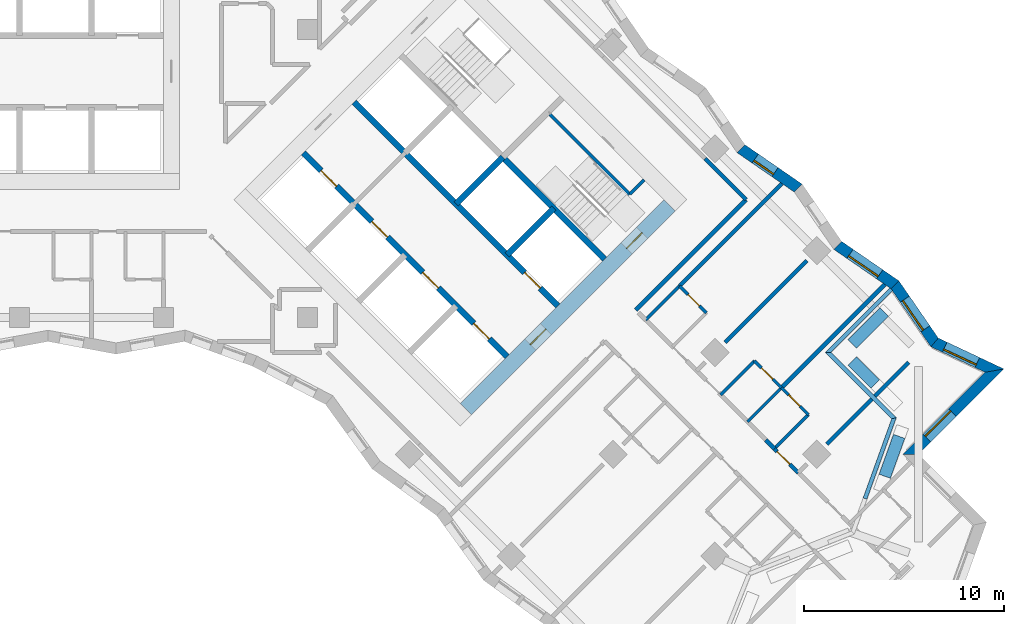
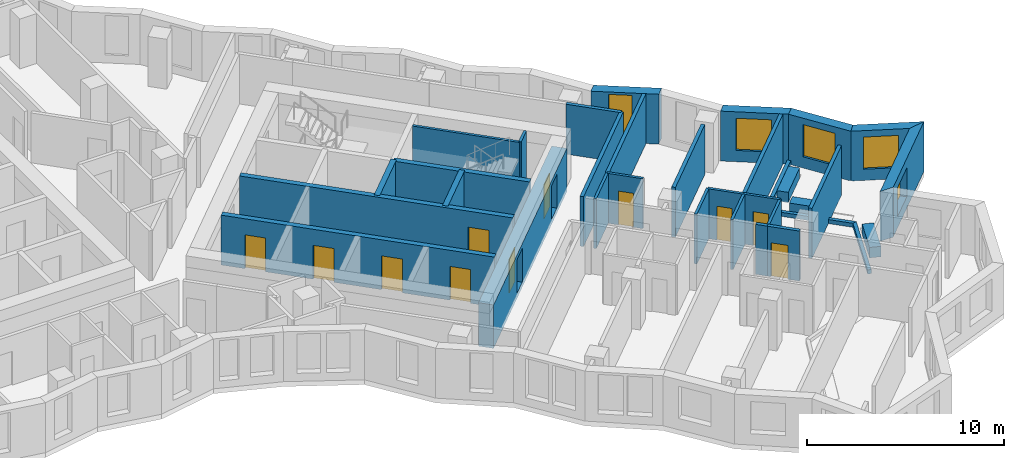
# One storey, part 10 of 14: 34 walls, 11 doors, 5 windows, 16 openings.
"""IFC4 building model written with IfcOpenShell, lengths in metres."""

from ifc_helpers import new_model, si_unit, direction, frame, frame_2d, origin, place, context, subcontext, project, spatial, polyline, rectangle, outline, extrude, material, layer, layer_set, type_object, element, fill, save


model = new_model("IFC4")

# Units and contexts
model_context = context("Model", 3, precision=1e-05, world=origin(), true_north=direction((0.0, 1.0)))
body_context = subcontext(model_context, "Body", "Model", "MODEL_VIEW")
ifc_project = project(units=[si_unit("LENGTHUNIT", "METRE"), si_unit("AREAUNIT", "SQUARE_METRE"), si_unit("VOLUMEUNIT", "CUBIC_METRE"), si_unit("PLANEANGLEUNIT", "RADIAN"), si_unit("MASSUNIT", "GRAM", prefix="KILO")], contexts=[model_context])

# Site, building, storey
site_placement = place(None, origin())
site = spatial("IfcSite", under=ifc_project, at=site_placement, CompositionType="ELEMENT")
building_placement = place(site_placement, origin())
building = spatial("IfcBuilding", under=site, at=building_placement, Name="Windrow Commons", CompositionType="ELEMENT")
storey_placement = place(building_placement, frame((0.0, 0.0, 118.6)))
storey = spatial("IfcBuildingStorey", under=building, at=storey_placement, Name="L32", CompositionType="ELEMENT", Elevation=118.6)

# Wall, opening, window
ifc_material_1 = material(Name="Brick masonry, red clay brick", Category="masonry")
ifc_layer_1 = layer(ifc_material_1, 0.55)
ifc_layer_set_1 = layer_set([ifc_layer_1], Name="Brick facade wall 550")
wall_type_1 = type_object("IfcWallType", Name="Brick facade wall 550", PredefinedType="SOLIDWALL", material=ifc_layer_set_1)
wall_1_placement = place(storey_placement, frame((109.3581, 36.3618, 0.0), z_axis=(0.0, 0.0, 1.0), x_axis=(0.7071067812, 0.7071067812, 0.0)))
wall_1 = element("IfcWall", 1, at=wall_1_placement, inside=storey, type_object=wall_type_1, Name="Brick facade wall L32 6", PredefinedType="SOLIDWALL", context=body_context, shape_type="SweptSolid", body=[
    extrude(outline(polyline([(0.275, -0.275), (6.305, -0.275), (5.5223, 0.275), (-0.275, 0.275), (0.275, -0.275)])), origin(), (0.0, 0.0, 1.0), 3.1),
])
opening_1_placement = place(wall_1_placement, frame((1.1375, 0.0, 0.7)))
opening_1 = element("IfcOpeningElement", 2, at=opening_1_placement, cuts=wall_1, Name="Opening W1M", PredefinedType="OPENING", context=body_context, shape_type="SweptSolid", body=[
    extrude(rectangle(XDim=1.8, YDim=1.8, at=frame_2d((0.9, 0.9))), frame((0.0, 0.285, 0.0), z_axis=(0.0, -1.0, 0.0), x_axis=(1.0, 0.0, 0.0)), (0.0, 0.0, 1.0), 0.57),
])
ifc_material_2 = material(Name="Clear float glass in anodised aluminium frame", Category="aluminium")
window_type_1 = type_object("IfcWindowType", Name="Window W1M bedroom 1800x1800", PartitioningType="SINGLE_PANEL", PredefinedType="WINDOW", material=ifc_material_2)
window_1_placement = place(opening_1_placement, origin())
window_1 = element("IfcWindow", 3, at=window_1_placement, inside=storey, type_object=window_type_1, Name="Window L32 6.1", OverallHeight=1.8, OverallWidth=1.8, PartitioningType="SINGLE_PANEL", PredefinedType="WINDOW", context=body_context, shape_type="SweptSolid", body=[
    extrude(rectangle(XDim=1.8, YDim=1.8, at=frame_2d((0.9, 0.9))), frame((0.0, 0.155, 0.0), z_axis=(0.0, -1.0, 0.0), x_axis=(1.0, 0.0, 0.0)), (0.0, 0.0, 1.0), 0.06),
])
fill(opening_1, window_1)

wall_2_placement = place(storey_placement, frame((113.5397, 40.5434, 0.0), z_axis=(0.0, 0.0, 1.0), x_axis=(-0.9048864169, 0.4256531129, 0.0)))
wall_2 = element("IfcWall", 4, at=wall_2_placement, inside=storey, type_object=wall_type_1, Name="Brick facade wall L32 7", PredefinedType="SOLIDWALL", context=body_context, shape_type="SweptSolid", body=[
    extrude(outline(polyline([(-0.3913, -0.275), (3.2385, -0.275), (3.3872, 0.275), (0.3913, 0.275), (-0.3913, -0.275)])), origin(), (0.0, 0.0, 1.0), 3.1),
])
opening_2_placement = place(wall_2_placement, frame((0.9521, 0.0, 0.7)))
opening_2 = element("IfcOpeningElement", 5, at=opening_2_placement, cuts=wall_2, Name="Opening W1", PredefinedType="OPENING", context=body_context, shape_type="SweptSolid", body=[
    extrude(rectangle(XDim=1.8, YDim=2.0, at=frame_2d((0.9, 1.0))), frame((0.0, 0.285, 0.0), z_axis=(0.0, -1.0, 0.0), x_axis=(1.0, 0.0, 0.0)), (0.0, 0.0, 1.0), 0.57),
])
ifc_material_3 = material(Name="Clear float glass in anodised aluminium frame", Category="aluminium")
window_type_2 = type_object("IfcWindowType", Name="Window W1 bedroom 1800x2000", PartitioningType="SINGLE_PANEL", PredefinedType="WINDOW", material=ifc_material_3)
window_2_placement = place(opening_2_placement, origin())
window_2 = element("IfcWindow", 6, at=window_2_placement, inside=storey, type_object=window_type_2, Name="Window L32 7.1", OverallHeight=2.0, OverallWidth=1.8, PartitioningType="SINGLE_PANEL", PredefinedType="WINDOW", context=body_context, shape_type="SweptSolid", body=[
    extrude(rectangle(XDim=1.8, YDim=2.0, at=frame_2d((0.9, 1.0))), frame((0.0, 0.155, 0.0), z_axis=(0.0, -1.0, 0.0), x_axis=(1.0, 0.0, 0.0)), (0.0, 0.0, 1.0), 0.06),
])
fill(opening_2, window_2)

wall_3_placement = place(storey_placement, frame((110.542, 41.9535, 0.0), z_axis=(0.0, 0.0, 1.0), x_axis=(-0.5670991884, 0.8236495071, 0.0)))
wall_3 = element("IfcWall", 7, at=wall_3_placement, inside=storey, type_object=wall_type_1, Name="Brick facade wall L32 8", PredefinedType="SOLIDWALL", context=body_context, shape_type="SweptSolid", body=[
    extrude(outline(polyline([(0.0744, -0.275), (3.547, -0.275), (3.4456, 0.275), (-0.0744, 0.275), (0.0744, -0.275)])), origin(), (0.0, 0.0, 1.0), 3.1),
])
opening_3_placement = place(wall_3_placement, frame((0.8228, 0.0, 0.7)))
opening_3 = element("IfcOpeningElement", 8, at=opening_3_placement, cuts=wall_3, Name="Opening W1", PredefinedType="OPENING", context=body_context, shape_type="SweptSolid", body=[
    extrude(rectangle(XDim=1.8, YDim=2.0, at=frame_2d((0.9, 1.0))), frame((0.0, 0.285, 0.0), z_axis=(0.0, -1.0, 0.0), x_axis=(1.0, 0.0, 0.0)), (0.0, 0.0, 1.0), 0.57),
])
window_3_placement = place(opening_3_placement, origin())
window_3 = element("IfcWindow", 9, at=window_3_placement, inside=storey, type_object=window_type_2, Name="Window L32 8.1", OverallHeight=2.0, OverallWidth=1.8, PartitioningType="SINGLE_PANEL", PredefinedType="WINDOW", context=body_context, shape_type="SweptSolid", body=[
    extrude(rectangle(XDim=1.8, YDim=2.0, at=frame_2d((0.9, 1.0))), frame((0.0, 0.155, 0.0), z_axis=(0.0, -1.0, 0.0), x_axis=(1.0, 0.0, 0.0)), (0.0, 0.0, 1.0), 0.06),
])
fill(opening_3, window_3)

wall_4_placement = place(storey_placement, frame((108.5592, 44.8333, 0.0), z_axis=(0.0, 0.0, 1.0), x_axis=(-0.8236501806, 0.5670982102, 0.0)))
wall_4 = element("IfcWall", 10, at=wall_4_placement, inside=storey, type_object=wall_type_1, Name="Brick facade wall L32 9", PredefinedType="SOLIDWALL", context=body_context, shape_type="SweptSolid", body=[
    extrude(outline(polyline([(-0.0507, -0.275), (3.4219, -0.275), (3.5234, 0.275), (0.0507, 0.275), (-0.0507, -0.275)])), origin(), (0.0, 0.0, 1.0), 3.1),
])
opening_4_placement = place(wall_4_placement, frame((0.9244, 0.0, 0.7)))
opening_4 = element("IfcOpeningElement", 11, at=opening_4_placement, cuts=wall_4, Name="Opening W1", PredefinedType="OPENING", context=body_context, shape_type="SweptSolid", body=[
    extrude(rectangle(XDim=1.8, YDim=2.0, at=frame_2d((0.9, 1.0))), frame((0.0, 0.285, 0.0), z_axis=(0.0, -1.0, 0.0), x_axis=(1.0, 0.0, 0.0)), (0.0, 0.0, 1.0), 0.57),
])
window_4_placement = place(opening_4_placement, origin())
window_4 = element("IfcWindow", 12, at=window_4_placement, inside=storey, type_object=window_type_2, Name="Window L32 9.1", OverallHeight=2.0, OverallWidth=1.8, PartitioningType="SINGLE_PANEL", PredefinedType="WINDOW", context=body_context, shape_type="SweptSolid", body=[
    extrude(rectangle(XDim=1.8, YDim=2.0, at=frame_2d((0.9, 1.0))), frame((0.0, 0.155, 0.0), z_axis=(0.0, -1.0, 0.0), x_axis=(1.0, 0.0, 0.0)), (0.0, 0.0, 1.0), 0.06),
])
fill(opening_4, window_4)

wall_5_placement = place(storey_placement, frame((103.7296, 49.6629, 0.0), z_axis=(0.0, 0.0, 1.0), x_axis=(-0.8236594414, 0.5670847596, 0.0)))
wall_5 = element("IfcWall", 13, at=wall_5_placement, inside=storey, type_object=wall_type_1, Name="Brick facade wall L32 11", PredefinedType="SOLIDWALL", context=body_context, shape_type="SweptSolid", body=[
    extrude(outline(polyline([(-0.0507, -0.275), (3.4219, -0.275), (3.5234, 0.275), (0.0507, 0.275), (-0.0507, -0.275)])), origin(), (0.0, 0.0, 1.0), 3.1),
])
opening_5_placement = place(wall_5_placement, frame((1.4125, 0.0, 0.5)))
opening_5 = element("IfcOpeningElement", 14, at=opening_5_placement, cuts=wall_5, Name="Opening W7D", PredefinedType="OPENING", context=body_context, shape_type="SweptSolid", body=[
    extrude(rectangle(XDim=1.2, YDim=2.45, at=frame_2d((0.6, 1.225))), frame((0.0, 0.285, 0.0), z_axis=(0.0, -1.0, 0.0), x_axis=(1.0, 0.0, 0.0)), (0.0, 0.0, 1.0), 0.57),
])
ifc_material_4 = material(Name="Clear float glass in anodised aluminium frame", Category="aluminium")
window_type_3 = type_object("IfcWindowType", Name="Window W7 notch 1200x2450", PartitioningType="SINGLE_PANEL", PredefinedType="WINDOW", material=ifc_material_4)
window_5_placement = place(opening_5_placement, origin())
window_5 = element("IfcWindow", 15, at=window_5_placement, inside=storey, type_object=window_type_3, Name="Window L32 11.1", OverallHeight=2.45, OverallWidth=1.2, PartitioningType="SINGLE_PANEL", PredefinedType="WINDOW", context=body_context, shape_type="SweptSolid", body=[
    extrude(rectangle(XDim=1.2, YDim=2.45, at=frame_2d((0.6, 1.225))), frame((0.0, 0.155, 0.0), z_axis=(0.0, -1.0, 0.0), x_axis=(1.0, 0.0, 0.0)), (0.0, 0.0, 1.0), 0.06),
])
fill(opening_5, window_5)

# Walls
ifc_material_5 = material(Name="Blockwork partition", Category="masonry")
ifc_layer_2 = layer(ifc_material_5, 0.2)
ifc_layer_set_2 = layer_set([ifc_layer_2], Name="IW-CORRIDOR-200")
wall_type_2 = type_object("IfcWallType", Name="IW-CORRIDOR-200", PredefinedType="PARTITIONING", material=ifc_layer_set_2)
wall_6_placement = place(storey_placement, frame((95.6055, 43.5765, 0.0), z_axis=(0.0, 0.0, 1.0), x_axis=(0.7071067812, 0.7071067812, 0.0)))
element("IfcWall", 16, at=wall_6_placement, inside=storey, type_object=wall_type_2, Name="W-L32-W017", PredefinedType="PARTITIONING", context=body_context, shape_type="SweptSolid", body=[
    extrude(rectangle(XDim=7.798, YDim=0.2, at=frame_2d((3.899, 0.0))), origin(), (0.0, 0.0, 1.0), 3.1),
])
wall_7_placement = place(storey_placement, frame((99.0708, 51.1328, 0.0), z_axis=(0.0, 0.0, 1.0), x_axis=(0.7071067812, -0.7071067812, 0.0)))
element("IfcWall", 17, at=wall_7_placement, inside=storey, type_object=wall_type_2, Name="W-L32-W073", PredefinedType="PARTITIONING", context=body_context, shape_type="SweptSolid", body=[
    extrude(rectangle(XDim=2.8935, YDim=0.2, at=frame_2d((1.4467, 0.0))), origin(), (0.0, 0.0, 1.0), 3.1),
])

# Wall, opening, door
wall_8_placement = place(storey_placement, frame((102.5314, 36.6414, 0.0), z_axis=(0.0, 0.0, 1.0), x_axis=(0.7071067812, -0.7071067812, 0.0)))
wall_8 = element("IfcWall", 18, at=wall_8_placement, inside=storey, type_object=wall_type_2, Name="W-L32-W159", PredefinedType="PARTITIONING", context=body_context, shape_type="SweptSolid", body=[
    extrude(rectangle(XDim=1.6999, YDim=0.2, at=frame_2d((0.8499, 0.0))), origin(), (0.0, 0.0, 1.0), 3.1),
])
opening_6_placement = place(wall_8_placement, frame((0.1977, 0.0, 0.0)))
opening_6 = element("IfcOpeningElement", 19, at=opening_6_placement, cuts=wall_8, Name="Opening D109S", PredefinedType="OPENING", context=body_context, shape_type="SweptSolid", body=[
    extrude(rectangle(XDim=0.9, YDim=2.1, at=frame_2d((0.45, 1.05))), frame((0.0, 0.11, 0.0), z_axis=(0.0, -1.0, 0.0), x_axis=(1.0, 0.0, 0.0)), (0.0, 0.0, 1.0), 0.22),
])
ifc_material_6 = material(Name="Timber door leaf", Category="wood")
door_type_1 = type_object("IfcDoorType", Name="DT-BEDROOM-900", OperationType="SINGLE_SWING_LEFT", PredefinedType="DOOR", material=ifc_material_6)
door_1_placement = place(opening_6_placement, origin())
door_1 = element("IfcDoor", 20, at=door_1_placement, inside=storey, type_object=door_type_1, Name="D-L32-D048", OperationType="SINGLE_SWING_RIGHT", OverallHeight=2.1, OverallWidth=0.9, PredefinedType="DOOR", context=body_context, shape_type="SweptSolid", body=[
    extrude(rectangle(XDim=0.9, YDim=2.1, at=frame_2d((0.45, 1.05))), frame((0.0, 0.025, 0.0), z_axis=(0.0, -1.0, 0.0), x_axis=(1.0, 0.0, 0.0)), (0.0, 0.0, 1.0), 0.05),
])
fill(opening_6, door_1)

# Walls
wall_9_placement = place(storey_placement, frame((102.1029, 37.0749, 0.0), z_axis=(0.0, 0.0, 1.0), x_axis=(0.7054642634, -0.7087454925, 0.0)))
element("IfcWall", 21, at=wall_9_placement, inside=storey, type_object=wall_type_2, Name="W-L32-W186", PredefinedType="PARTITIONING", context=body_context, shape_type="SweptSolid", body=[
    extrude(rectangle(XDim=0.6095, YDim=0.2, at=frame_2d((0.3048, 0.0))), origin(), (0.0, 0.0, 1.0), 3.1),
])
ifc_material_7 = material(Name="Blockwork partition", Category="masonry")
ifc_layer_3 = layer(ifc_material_7, 0.15)
ifc_layer_set_3 = layer_set([ifc_layer_3], Name="IW-ENSUITE-150")
wall_type_3 = type_object("IfcWallType", Name="IW-ENSUITE-150", PredefinedType="PARTITIONING", material=ifc_layer_set_3)
wall_10_placement = place(storey_placement, frame((102.5331, 36.6449, 0.0), z_axis=(0.0, 0.0, 1.0), x_axis=(0.7071067812, 0.7071067812, 0.0)))
element("IfcWall", 22, at=wall_10_placement, inside=storey, type_object=wall_type_3, Name="W-L32-W085", PredefinedType="PARTITIONING", context=body_context, shape_type="SweptSolid", body=[
    extrude(rectangle(XDim=2.4013, YDim=0.15, at=frame_2d((1.2006, 0.0))), origin(), (0.0, 0.0, 1.0), 3.1),
])
wall_11_placement = place(storey_placement, frame((101.192, 37.988, 0.0), z_axis=(0.0, 0.0, 1.0), x_axis=(0.706689978, 0.7075233388, 0.0)))
element("IfcWall", 23, at=wall_11_placement, inside=storey, type_object=wall_type_3, Name="W-L32-W113", PredefinedType="PARTITIONING", context=body_context, shape_type="SweptSolid", body=[
    extrude(rectangle(XDim=2.3999, YDim=0.15, at=frame_2d((1.2, 0.0))), origin(), (0.0, 0.0, 1.0), 3.1),
])
for number, where, z_axis, x_axis, name in (
    (24, (96.0994, 43.0806, 0.0), (0.0, 0.0, 1.0), (0.7071067812, 0.7071067812, 0.0), "W-L32-W121"),
    (25, (99.8471, 39.3329, 0.0), (0.0, 0.0, 1.0), (0.7071067812, 0.7071067812, 0.0), "W-L32-W124"),
):
    element("IfcWall", number, at=place(storey_placement, frame(where, z_axis=z_axis, x_axis=x_axis)), inside=storey, type_object=wall_type_3, Name=name, PredefinedType="PARTITIONING", context=body_context, shape_type="SweptSolid", body=[
        extrude(rectangle(XDim=2.3985, YDim=0.15, at=frame_2d((1.1992, 0.0))), origin(), (0.0, 0.0, 1.0), 3.1),
    ])

# Wall, opening, door
wall_12_placement = place(storey_placement, frame((97.7934, 44.7734, 0.0), z_axis=(0.0, 0.0, 1.0), x_axis=(0.7071067812, -0.7071067812, 0.0)))
wall_12 = element("IfcWall", 26, at=wall_12_placement, inside=storey, type_object=wall_type_3, Name="W-L32-W138", PredefinedType="PARTITIONING", context=body_context, shape_type="SweptSolid", body=[
    extrude(rectangle(XDim=1.9007, YDim=0.15, at=frame_2d((0.9504, 0.0))), origin(), (0.0, 0.0, 1.0), 3.1),
])
opening_7_placement = place(wall_12_placement, frame((0.6091, 0.0, 0.0)))
opening_7 = element("IfcOpeningElement", 27, at=opening_7_placement, cuts=wall_12, Name="Opening D208N", PredefinedType="OPENING", context=body_context, shape_type="SweptSolid", body=[
    extrude(rectangle(XDim=0.8, YDim=2.1, at=frame_2d((0.4, 1.05))), frame((0.0, 0.085, 0.0), z_axis=(0.0, -1.0, 0.0), x_axis=(1.0, 0.0, 0.0)), (0.0, 0.0, 1.0), 0.17),
])
ifc_material_8 = material(Name="Timber door leaf", Category="wood")
door_type_2 = type_object("IfcDoorType", Name="DT-ENSUITE-800", OperationType="SINGLE_SWING_LEFT", PredefinedType="DOOR", material=ifc_material_8)
door_2_placement = place(opening_7_placement, origin())
door_2 = element("IfcDoor", 28, at=door_2_placement, inside=storey, type_object=door_type_2, Name="D-L32-D047", OperationType="SINGLE_SWING_RIGHT", OverallHeight=2.1, OverallWidth=0.8, PredefinedType="DOOR", context=body_context, shape_type="SweptSolid", body=[
    extrude(rectangle(XDim=0.8, YDim=2.1, at=frame_2d((0.4, 1.05))), frame((0.0, 0.025, 0.0), z_axis=(0.0, -1.0, 0.0), x_axis=(1.0, 0.0, 0.0)), (0.0, 0.0, 1.0), 0.05),
])
fill(opening_7, door_2)

wall_13_placement = place(storey_placement, frame((102.8915, 39.6895, 0.0), z_axis=(0.0, 0.0, 1.0), x_axis=(0.7071067812, -0.7071067812, 0.0)))
wall_13 = element("IfcWall", 29, at=wall_13_placement, inside=storey, type_object=wall_type_3, Name="W-L32-W139", PredefinedType="PARTITIONING", context=body_context, shape_type="SweptSolid", body=[
    extrude(rectangle(XDim=1.9007, YDim=0.15, at=frame_2d((0.9504, 0.0))), origin(), (0.0, 0.0, 1.0), 3.1),
])
opening_8_placement = place(wall_13_placement, frame((0.5055, 0.0, 0.0)))
opening_8 = element("IfcOpeningElement", 30, at=opening_8_placement, cuts=wall_13, Name="Opening D208N", PredefinedType="OPENING", context=body_context, shape_type="SweptSolid", body=[
    extrude(rectangle(XDim=0.8, YDim=2.1, at=frame_2d((0.4, 1.05))), frame((0.0, 0.085, 0.0), z_axis=(0.0, -1.0, 0.0), x_axis=(1.0, 0.0, 0.0)), (0.0, 0.0, 1.0), 0.17),
])
door_3_placement = place(opening_8_placement, origin())
door_3 = element("IfcDoor", 31, at=door_3_placement, inside=storey, type_object=door_type_2, Name="D-L32-D049", OperationType="SINGLE_SWING_RIGHT", OverallHeight=2.1, OverallWidth=0.8, PredefinedType="DOOR", context=body_context, shape_type="SweptSolid", body=[
    extrude(rectangle(XDim=0.8, YDim=2.1, at=frame_2d((0.4, 1.05))), frame((0.0, 0.025, 0.0), z_axis=(0.0, -1.0, 0.0), x_axis=(1.0, 0.0, 0.0)), (0.0, 0.0, 1.0), 0.05),
])
fill(opening_8, door_3)

wall_14_placement = place(storey_placement, frame((101.5428, 41.0268, 0.0), z_axis=(0.0, 0.0, 1.0), x_axis=(0.7076330979, -0.7065800724, 0.0)))
wall_14 = element("IfcWall", 32, at=wall_14_placement, inside=storey, type_object=wall_type_3, Name="W-L32-W153", PredefinedType="PARTITIONING", context=body_context, shape_type="SweptSolid", body=[
    extrude(rectangle(XDim=1.8993, YDim=0.15, at=frame_2d((0.9496, 0.0))), origin(), (0.0, 0.0, 1.0), 3.1),
])
opening_9_placement = place(wall_14_placement, frame((0.493, 0.0, 0.0)))
opening_9 = element("IfcOpeningElement", 33, at=opening_9_placement, cuts=wall_14, Name="Opening D208N", PredefinedType="OPENING", context=body_context, shape_type="SweptSolid", body=[
    extrude(rectangle(XDim=0.8, YDim=2.1, at=frame_2d((0.4, 1.05))), frame((0.0, 0.085, 0.0), z_axis=(0.0, -1.0, 0.0), x_axis=(1.0, 0.0, 0.0)), (0.0, 0.0, 1.0), 0.17),
])
door_4_placement = place(opening_9_placement, origin())
door_4 = element("IfcDoor", 34, at=door_4_placement, inside=storey, type_object=door_type_2, Name="D-L32-D055", OperationType="SINGLE_SWING_RIGHT", OverallHeight=2.1, OverallWidth=0.8, PredefinedType="DOOR", context=body_context, shape_type="SweptSolid", body=[
    extrude(rectangle(XDim=0.8, YDim=2.1, at=frame_2d((0.4, 1.05))), frame((0.0, 0.025, 0.0), z_axis=(0.0, -1.0, 0.0), x_axis=(1.0, 0.0, 0.0)), (0.0, 0.0, 1.0), 0.05),
])
fill(opening_9, door_4)

# Walls
ifc_material_9 = material(Name="Blockwork partition", Category="masonry")
ifc_layer_4 = layer(ifc_material_9, 0.2)
ifc_layer_set_4 = layer_set([ifc_layer_4], Name="IW-PARTY-200")
wall_type_4 = type_object("IfcWallType", Name="IW-PARTY-200", PredefinedType="PARTITIONING", material=ifc_layer_set_4)
wall_15_placement = place(storey_placement, frame((102.8874, 39.6866, 0.0), z_axis=(0.0, 0.0, 1.0), x_axis=(0.707250564, 0.7069629691, 0.0)))
element("IfcWall", 35, at=wall_15_placement, inside=storey, type_object=wall_type_4, Name="W-L32-W018", PredefinedType="PARTITIONING", context=body_context, shape_type="SweptSolid", body=[
    extrude(rectangle(XDim=7.3019, YDim=0.2, at=frame_2d((3.6509, 0.0))), origin(), (0.0, 0.0, 1.0), 3.1),
])
wall_16_placement = place(storey_placement, frame((97.7954, 44.7766, 0.0), z_axis=(0.0, 0.0, 1.0), x_axis=(0.7071136921, 0.7070998702, 0.0)))
element("IfcWall", 36, at=wall_16_placement, inside=storey, type_object=wall_type_4, Name="W-L32-W021", PredefinedType="PARTITIONING", context=body_context, shape_type="SweptSolid", body=[
    extrude(rectangle(XDim=7.2349, YDim=0.2, at=frame_2d((3.6174, 0.0))), origin(), (0.0, 0.0, 1.0), 3.1),
])
for number, where, z_axis, x_axis, name in (
    (37, (105.1552, 36.8628, 0.0), (0.0, 0.0, 1.0), (0.7071067812, 0.7071067812, 0.0), "W-L32-W033"),
    (38, (100.063, 41.953, 0.0), (0.0, 0.0, 1.0), (0.7071067812, 0.7071067812, 0.0), "W-L32-W035"),
):
    element("IfcWall", number, at=place(storey_placement, frame(where, z_axis=z_axis, x_axis=x_axis)), inside=storey, type_object=wall_type_4, Name=name, PredefinedType="PARTITIONING", context=body_context, shape_type="SweptSolid", body=[
        extrude(rectangle(XDim=5.787, YDim=0.2, at=frame_2d((2.8935, 0.0))), origin(), (0.0, 0.0, 1.0), 3.1),
    ])
ifc_material_10 = material(Name="Concrete C30/37 planter wall", Category="concrete")
ifc_layer_5 = layer(ifc_material_10, 0.6)
ifc_layer_set_5 = layer_set([ifc_layer_5], Name="Planter 600x450")
wall_type_5 = type_object("IfcWallType", Name="Planter 600x450", PredefinedType="SOLIDWALL", material=ifc_layer_set_5)
wall_17_placement = place(storey_placement, frame((106.4236, 41.0287, 0.0), z_axis=(0.0, 0.0, 1.0), x_axis=(0.7071374776, -0.7070760835, 0.0)))
element("IfcWall", 39, at=wall_17_placement, inside=storey, type_object=wall_type_5, Name="PLANTER TR-L32-1.2", PredefinedType="SOLIDWALL", context=body_context, shape_type="SweptSolid", body=[
    extrude(rectangle(XDim=1.6288, YDim=0.6, at=frame_2d((0.8144, 0.0))), origin(), (0.0, 0.0, 1.0), 0.65),
])
wall_18_placement = place(storey_placement, frame((108.0166, 43.4701, 0.0), z_axis=(0.0, 0.0, 1.0), x_axis=(-0.7071289757, -0.707084586, 0.0)))
element("IfcWall", 40, at=wall_18_placement, inside=storey, type_object=wall_type_5, Name="PLANTER TR-L32-1.1", PredefinedType="SOLIDWALL", context=body_context, shape_type="SweptSolid", body=[
    extrude(outline(polyline([(0.0, -0.3), (2.2527, -0.3), (2.2527, 0.3), (0.0, 0.3), (0.0, -0.3)])), origin(), (0.0, 0.0, 1.0), 0.65),
])
wall_19_placement = place(storey_placement, frame((108.7706, 37.2568, 0.0), z_axis=(0.0, 0.0, 1.0), x_axis=(-0.3392436018, -0.9406985589, 0.0)))
element("IfcWall", 41, at=wall_19_placement, inside=storey, type_object=wall_type_5, Name="PLANTER TR-L32-1.3", PredefinedType="SOLIDWALL", context=body_context, shape_type="SweptSolid", body=[
    extrude(outline(polyline([(0.0, -0.3), (2.1212, -0.3), (2.1212, 0.3), (0.0, 0.3), (0.0, -0.3)])), origin(), (0.0, 0.0, 1.0), 0.65),
])

# Wall, openings, doors
ifc_material_11 = material(Name="Concrete C50/60", Category="concrete")
ifc_layer_6 = layer(ifc_material_11, 0.8)
ifc_layer_set_6 = layer_set([ifc_layer_6], Name="RC CORE WALL 800 C50/60")
wall_type_6 = type_object("IfcWallType", Name="RC CORE WALL 800 C50/60", PredefinedType="SHEAR", material=ifc_layer_set_6)
wall_20_placement = place(storey_placement, frame((87.1196, 38.6246, -0.3), z_axis=(0.0, 0.0, 1.0), x_axis=(0.7071067812, 0.7071067812, 0.0)))
wall_20 = element("IfcWall", 42, at=wall_20_placement, inside=storey, type_object=wall_type_6, Name="Core B wall outer-E", PredefinedType="SHEAR", context=body_context, shape_type="SweptSolid", body=[
    extrude(rectangle(XDim=14.3999, YDim=0.8, at=frame_2d((7.2, 0.0))), origin(), (0.0, 0.0, 1.0), 2.7),
])
opening_10_placement = place(wall_20_placement, frame((4.55, 0.0, 0.3)))
opening_10 = element("IfcOpeningElement", 43, at=opening_10_placement, cuts=wall_20, Name="Opening D6", PredefinedType="OPENING", context=body_context, shape_type="SweptSolid", body=[
    extrude(rectangle(XDim=1.1, YDim=2.1, at=frame_2d((0.55, 1.05))), frame((0.0, 0.41, 0.0), z_axis=(0.0, -1.0, 0.0), x_axis=(1.0, 0.0, 0.0)), (0.0, 0.0, 1.0), 0.82),
])
opening_11_placement = place(wall_20_placement, frame((11.35, 0.0, 0.3)))
opening_11 = element("IfcOpeningElement", 44, at=opening_11_placement, cuts=wall_20, Name="Opening D7", PredefinedType="OPENING", context=body_context, shape_type="SweptSolid", body=[
    extrude(rectangle(XDim=1.1, YDim=2.1, at=frame_2d((0.55, 1.05))), frame((0.0, 0.41, 0.0), z_axis=(0.0, -1.0, 0.0), x_axis=(1.0, 0.0, 0.0)), (0.0, 0.0, 1.0), 0.82),
])
ifc_material_12 = material(Name="Steel fire door leaf", Category="steel")
door_type_3 = type_object("IfcDoorType", Name="Core lobby door 1100", OperationType="SINGLE_SWING_LEFT", PredefinedType="DOOR", material=ifc_material_12)
door_5_placement = place(opening_10_placement, origin())
door_5 = element("IfcDoor", 45, at=door_5_placement, inside=storey, type_object=door_type_3, Name="Lift lobby door", OperationType="DOUBLE_DOOR_SINGLE_SWING", OverallHeight=2.1, OverallWidth=1.1, PredefinedType="DOOR", context=body_context, shape_type="SweptSolid", body=[
    extrude(rectangle(XDim=1.1, YDim=2.1, at=frame_2d((0.55, 1.05))), frame((0.0, 0.025, 0.0), z_axis=(0.0, -1.0, 0.0), x_axis=(1.0, 0.0, 0.0)), (0.0, 0.0, 1.0), 0.05),
])
fill(opening_10, door_5)
ifc_material_13 = material(Name="Steel fire door leaf", Category="steel")
door_type_4 = type_object("IfcDoorType", Name="Stair door 1100", OperationType="SINGLE_SWING_LEFT", PredefinedType="DOOR", material=ifc_material_13)
door_6_placement = place(opening_11_placement, origin())
door_6 = element("IfcDoor", 46, at=door_6_placement, inside=storey, type_object=door_type_4, Name="Stair door", OperationType="SINGLE_SWING_RIGHT", OverallHeight=2.1, OverallWidth=1.1, PredefinedType="DOOR", context=body_context, shape_type="SweptSolid", body=[
    extrude(rectangle(XDim=1.1, YDim=2.1, at=frame_2d((0.55, 1.05))), frame((0.0, 0.025, 0.0), z_axis=(0.0, -1.0, 0.0), x_axis=(1.0, 0.0, 0.0)), (0.0, 0.0, 1.0), 0.05),
])
fill(opening_11, door_6)

# Walls
ifc_material_14 = material(Name="Concrete C50/60", Category="concrete")
ifc_layer_7 = layer(ifc_material_14, 0.3)
ifc_layer_set_7 = layer_set([ifc_layer_7], Name="RC SHAFT WALL 300 C50/60")
wall_type_7 = type_object("IfcWallType", Name="RC SHAFT WALL 300 C50/60", PredefinedType="SOLIDWALL", material=ifc_layer_set_7)
for number, where, z_axis, x_axis, name in (
    (47, (86.6246, 48.8776, 0.0), (0.0, 0.0, 1.0), (0.7071067812, 0.7071067812, 0.0), "Core B wall shaft-N2"),
    (48, (89.1702, 46.332, 0.0), (0.0, 0.0, 1.0), (0.7071067812, 0.7071067812, 0.0), "Core B wall shaft-N3"),
):
    element("IfcWall", number, at=place(storey_placement, frame(where, z_axis=z_axis, x_axis=x_axis)), inside=storey, type_object=wall_type_7, Name=name, PredefinedType="SOLIDWALL", context=body_context, shape_type="SweptSolid", body=[
        extrude(rectangle(XDim=3.3001, YDim=0.3, at=frame_2d((1.6501, 0.0))), origin(), (0.0, 0.0, 1.0), 3.1),
    ])

# Wall, openings, doors
wall_21_placement = place(storey_placement, frame((78.9879, 51.4232, 0.0), z_axis=(0.0, 0.0, 1.0), x_axis=(0.7071067812, -0.7071067812, 0.0)))
wall_21 = element("IfcWall", 49, at=wall_21_placement, inside=storey, type_object=wall_type_7, Name="Core B wall lobby-S", PredefinedType="SOLIDWALL", context=body_context, shape_type="SweptSolid", body=[
    extrude(rectangle(XDim=14.3999, YDim=0.3, at=frame_2d((7.2, 0.0))), origin(), (0.0, 0.0, 1.0), 3.1),
])
opening_12_placement = place(wall_21_placement, frame((1.25, 0.0, 0.0)))
opening_12 = element("IfcOpeningElement", 50, at=opening_12_placement, cuts=wall_21, Name="Opening LD", PredefinedType="OPENING", context=body_context, shape_type="SweptSolid", body=[
    extrude(rectangle(XDim=1.1, YDim=2.1, at=frame_2d((0.55, 1.05))), frame((0.0, 0.16, 0.0), z_axis=(0.0, -1.0, 0.0), x_axis=(1.0, 0.0, 0.0)), (0.0, 0.0, 1.0), 0.32),
])
opening_13_placement = place(wall_21_placement, frame((4.85, 0.0, 0.0)))
opening_13 = element("IfcOpeningElement", 51, at=opening_13_placement, cuts=wall_21, Name="Opening LD", PredefinedType="OPENING", context=body_context, shape_type="SweptSolid", body=[
    extrude(rectangle(XDim=1.1, YDim=2.1, at=frame_2d((0.55, 1.05))), frame((0.0, 0.16, 0.0), z_axis=(0.0, -1.0, 0.0), x_axis=(1.0, 0.0, 0.0)), (0.0, 0.0, 1.0), 0.32),
])
opening_14_placement = place(wall_21_placement, frame((8.45, 0.0, 0.0)))
opening_14 = element("IfcOpeningElement", 52, at=opening_14_placement, cuts=wall_21, Name="Opening LD", PredefinedType="OPENING", context=body_context, shape_type="SweptSolid", body=[
    extrude(rectangle(XDim=1.1, YDim=2.1, at=frame_2d((0.55, 1.05))), frame((0.0, 0.16, 0.0), z_axis=(0.0, -1.0, 0.0), x_axis=(1.0, 0.0, 0.0)), (0.0, 0.0, 1.0), 0.32),
])
opening_15_placement = place(wall_21_placement, frame((12.05, 0.0, 0.0)))
opening_15 = element("IfcOpeningElement", 53, at=opening_15_placement, cuts=wall_21, Name="Opening LD", PredefinedType="OPENING", context=body_context, shape_type="SweptSolid", body=[
    extrude(rectangle(XDim=1.1, YDim=2.1, at=frame_2d((0.55, 1.05))), frame((0.0, 0.16, 0.0), z_axis=(0.0, -1.0, 0.0), x_axis=(1.0, 0.0, 0.0)), (0.0, 0.0, 1.0), 0.32),
])
ifc_material_15 = material(Name="Stainless steel door leaf", Category="steel")
door_type_5 = type_object("IfcDoorType", Name="Lift landing door 1100", OperationType="SLIDING_TO_LEFT", PredefinedType="DOOR", material=ifc_material_15)
door_7_placement = place(opening_12_placement, origin())
door_7 = element("IfcDoor", 54, at=door_7_placement, inside=storey, type_object=door_type_5, Name="Lift landing door", OperationType="SLIDING_TO_LEFT", OverallHeight=2.1, OverallWidth=1.1, PredefinedType="DOOR", context=body_context, shape_type="SweptSolid", body=[
    extrude(rectangle(XDim=1.1, YDim=2.1, at=frame_2d((0.55, 1.05))), frame((0.0, 0.025, 0.0), z_axis=(0.0, -1.0, 0.0), x_axis=(1.0, 0.0, 0.0)), (0.0, 0.0, 1.0), 0.05),
])
fill(opening_12, door_7)
door_8_placement = place(opening_13_placement, origin())
door_8 = element("IfcDoor", 55, at=door_8_placement, inside=storey, type_object=door_type_5, Name="Lift landing door", OperationType="SLIDING_TO_RIGHT", OverallHeight=2.1, OverallWidth=1.1, PredefinedType="DOOR", context=body_context, shape_type="SweptSolid", body=[
    extrude(rectangle(XDim=1.1, YDim=2.1, at=frame_2d((0.55, 1.05))), frame((0.0, 0.025, 0.0), z_axis=(0.0, -1.0, 0.0), x_axis=(1.0, 0.0, 0.0)), (0.0, 0.0, 1.0), 0.05),
])
fill(opening_13, door_8)
door_9_placement = place(opening_14_placement, origin())
door_9 = element("IfcDoor", 56, at=door_9_placement, inside=storey, type_object=door_type_5, Name="Lift landing door", OperationType="SLIDING_TO_LEFT", OverallHeight=2.1, OverallWidth=1.1, PredefinedType="DOOR", context=body_context, shape_type="SweptSolid", body=[
    extrude(rectangle(XDim=1.1, YDim=2.1, at=frame_2d((0.55, 1.05))), frame((0.0, 0.025, 0.0), z_axis=(0.0, -1.0, 0.0), x_axis=(1.0, 0.0, 0.0)), (0.0, 0.0, 1.0), 0.05),
])
fill(opening_14, door_9)
door_10_placement = place(opening_15_placement, origin())
door_10 = element("IfcDoor", 57, at=door_10_placement, inside=storey, type_object=door_type_5, Name="Lift landing door", OperationType="SLIDING_TO_RIGHT", OverallHeight=2.1, OverallWidth=1.1, PredefinedType="DOOR", context=body_context, shape_type="SweptSolid", body=[
    extrude(rectangle(XDim=1.1, YDim=2.1, at=frame_2d((0.55, 1.05))), frame((0.0, 0.025, 0.0), z_axis=(0.0, -1.0, 0.0), x_axis=(1.0, 0.0, 0.0)), (0.0, 0.0, 1.0), 0.05),
])
fill(opening_15, door_10)

# Wall, opening, door
wall_22_placement = place(storey_placement, frame((81.5335, 53.9688, 0.0), z_axis=(0.0, 0.0, 1.0), x_axis=(0.707103309, -0.7071102534, 0.0)))
wall_22 = element("IfcWall", 58, at=wall_22_placement, inside=storey, type_object=wall_type_7, Name="Core B wall lobby-N", PredefinedType="SOLIDWALL", context=body_context, shape_type="SweptSolid", body=[
    extrude(rectangle(XDim=14.4, YDim=0.3, at=frame_2d((7.2, 0.0))), origin(), (0.0, 0.0, 1.0), 3.1),
])
opening_16_placement = place(wall_22_placement, frame((12.05, 0.0, 0.0)))
opening_16 = element("IfcOpeningElement", 59, at=opening_16_placement, cuts=wall_22, Name="Opening LD", PredefinedType="OPENING", context=body_context, shape_type="SweptSolid", body=[
    extrude(rectangle(XDim=1.1, YDim=2.1, at=frame_2d((0.55, 1.05))), frame((0.0, 0.16, 0.0), z_axis=(0.0, -1.0, 0.0), x_axis=(1.0, 0.0, 0.0)), (0.0, 0.0, 1.0), 0.32),
])
door_11_placement = place(opening_16_placement, origin())
door_11 = element("IfcDoor", 60, at=door_11_placement, inside=storey, type_object=door_type_5, Name="Lift landing door", OperationType="SLIDING_TO_RIGHT", OverallHeight=2.1, OverallWidth=1.1, PredefinedType="DOOR", context=body_context, shape_type="SweptSolid", body=[
    extrude(rectangle(XDim=1.1, YDim=2.1, at=frame_2d((0.55, 1.05))), frame((0.0, 0.025, 0.0), z_axis=(0.0, -1.0, 0.0), x_axis=(1.0, 0.0, 0.0)), (0.0, 0.0, 1.0), 0.05),
])
fill(opening_16, door_11)

# Walls
wall_23_placement = place(storey_placement, frame((88.9581, 51.2111, 0.0), z_axis=(0.0, 0.0, 1.0), x_axis=(0.7070998367, -0.7071137256, 0.0)))
element("IfcWall", 61, at=wall_23_placement, inside=storey, type_object=wall_type_7, Name="Core B wall stair-S2", PredefinedType="SOLIDWALL", context=body_context, shape_type="SweptSolid", body=[
    extrude(rectangle(XDim=7.2, YDim=0.3, at=frame_2d((3.6, 0.0))), origin(), (0.0, 0.0, 1.0), 3.1),
])
ifc_material_16 = material(Name="Blockwork partition", Category="masonry")
ifc_layer_8 = layer(ifc_material_16, 0.15)
ifc_layer_set_8 = layer_set([ifc_layer_8], Name="Riser partition 150")
wall_type_8 = type_object("IfcWallType", Name="Riser partition 150", PredefinedType="PARTITIONING", material=ifc_layer_set_8)
wall_24_placement = place(storey_placement, frame((91.3127, 53.3536, 0.0), z_axis=(0.0, 0.0, 1.0), x_axis=(0.7071067812, -0.7071067812, 0.0)))
element("IfcWall", 62, at=wall_24_placement, inside=storey, type_object=wall_type_8, Name="W-core-strip-B-L32", PredefinedType="PARTITIONING", context=body_context, shape_type="SweptSolid", body=[
    extrude(rectangle(XDim=5.6501, YDim=0.15, at=frame_2d((2.8251, 0.0))), origin(), (0.0, 0.0, 1.0), 3.1),
])
wall_25_placement = place(storey_placement, frame((95.3079, 49.3584, 0.0), z_axis=(0.0, 0.0, 1.0), x_axis=(0.70705776, 0.707155799, 0.0)))
element("IfcWall", 63, at=wall_25_placement, inside=storey, type_object=wall_type_8, Name="W-core-stripx-B-L32-1", PredefinedType="PARTITIONING", context=body_context, shape_type="SweptSolid", body=[
    extrude(rectangle(XDim=1.02, YDim=0.15, at=frame_2d((0.51, 0.0))), origin(), (0.0, 0.0, 1.0), 3.1),
])
ifc_material_17 = material(Name="Brick masonry, red clay brick", Category="masonry")
ifc_layer_9 = layer(ifc_material_17, 0.2)
ifc_layer_set_9 = layer_set([ifc_layer_9], Name="Terrace edge parapet 200")
wall_type_9 = type_object("IfcWallType", Name="Terrace edge parapet 200", PredefinedType="PARAPET", material=ifc_layer_set_9)
wall_26_placement = place(storey_placement, frame((108.3789, 44.6103, 0.0), z_axis=(0.0, 0.0, 1.0), x_axis=(-0.7071179789, -0.7070955833, 0.0)))
element("IfcWall", 64, at=wall_26_placement, inside=storey, type_object=wall_type_9, Name="Terrace parapet TR-L32-1.1.1", PredefinedType="PARAPET", context=body_context, shape_type="SweptSolid", body=[
    extrude(outline(polyline([(0.0, -0.1), (4.5651, -0.1), (4.3651, 0.1), (0.0, 0.1), (0.0, -0.1)])), origin(), (0.0, 0.0, 1.0), 0.25),
])
wall_27_placement = place(storey_placement, frame((105.2215, 41.453, 0.0), z_axis=(0.0, 0.0, 1.0), x_axis=(0.7071067812, -0.7071067812, 0.0)))
element("IfcWall", 65, at=wall_27_placement, inside=storey, type_object=wall_type_9, Name="Terrace parapet TR-L32-1.1.2", PredefinedType="PARAPET", context=body_context, shape_type="SweptSolid", body=[
    extrude(outline(polyline([(-0.1, -0.1), (4.5905, -0.1), (4.7175, 0.1), (0.1, 0.1), (-0.1, -0.1)])), origin(), (0.0, 0.0, 1.0), 0.25),
])
wall_28_placement = place(storey_placement, frame((108.5124, 38.1621, 0.0), z_axis=(0.0, 0.0, 1.0), x_axis=(-0.3392396531, -0.9406999829, 0.0)))
element("IfcWall", 66, at=wall_28_placement, inside=storey, type_object=wall_type_9, Name="Terrace parapet TR-L32-1.1.3", PredefinedType="PARAPET", context=body_context, shape_type="SweptSolid", body=[
    extrude(outline(polyline([(0.0635, -0.1), (4.2678, -0.1), (4.2678, 0.1), (-0.0635, 0.1), (0.0635, -0.1)])), origin(), (0.0, 0.0, 1.0), 0.25),
])

save(model, "model.ifc")
